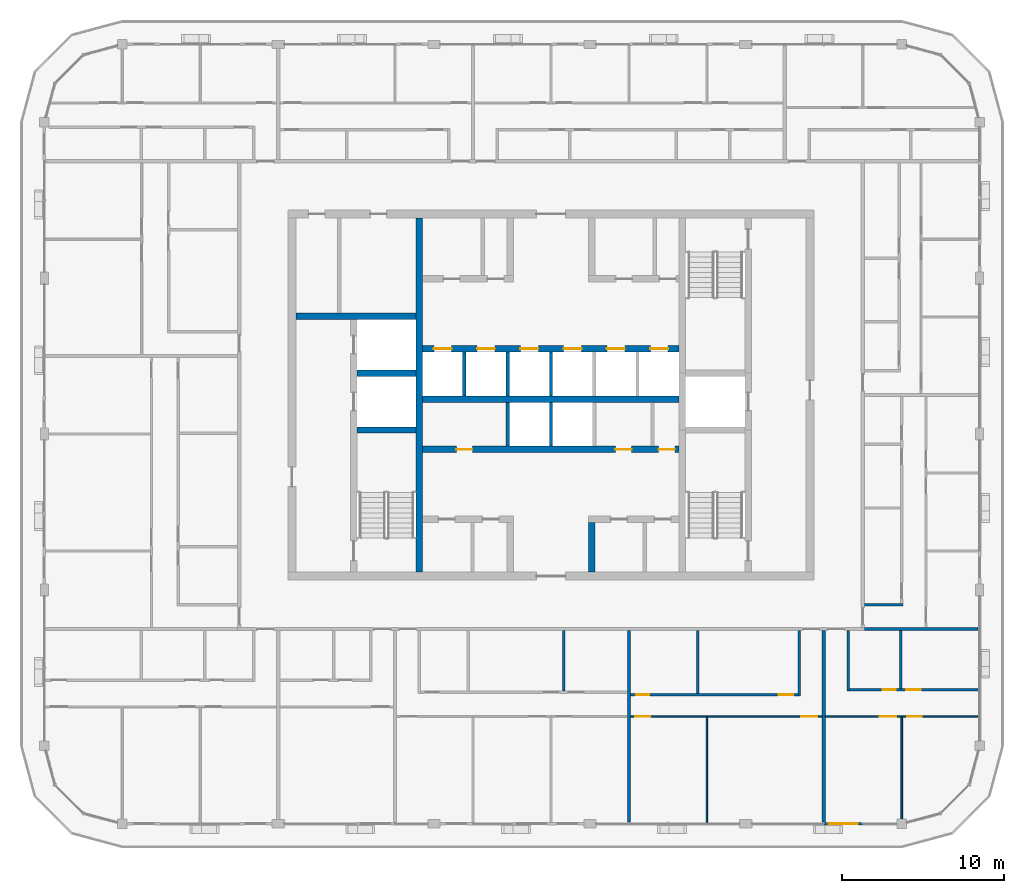
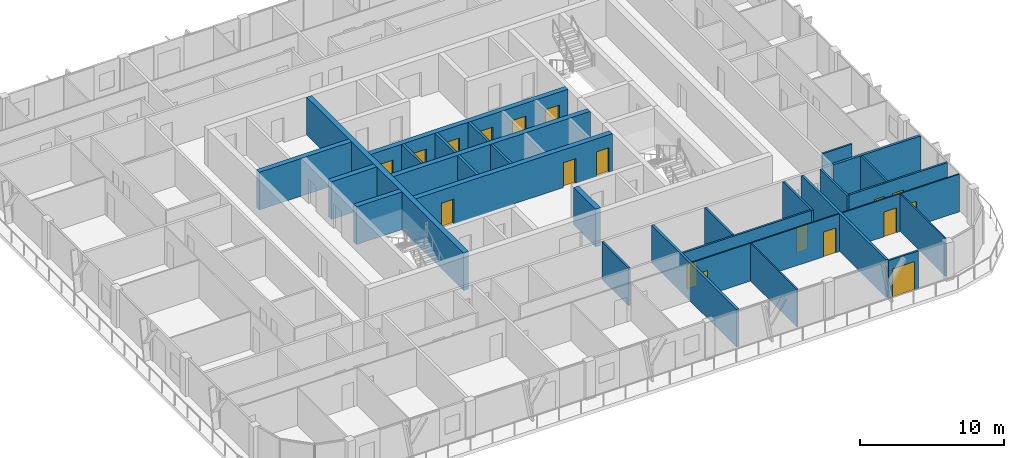
# One storey, part 11 of 22: 29 walls, 18 doors, 18 openings.
"""IFC4 building model written with IfcOpenShell, lengths in metres."""

from ifc_helpers import new_model, si_unit, direction, frame, frame_2d, origin, place, context, subcontext, project, spatial, rectangle, extrude, material, layer, layer_set, type_object, element, fill, save


model = new_model("IFC4")

# Units and contexts
model_context = context("Model", 3, precision=1e-05, world=origin(), true_north=direction((0.0, 1.0)))
body_context = subcontext(model_context, "Body", "Model", "MODEL_VIEW")
ifc_project = project(units=[si_unit("LENGTHUNIT", "METRE"), si_unit("AREAUNIT", "SQUARE_METRE"), si_unit("VOLUMEUNIT", "CUBIC_METRE"), si_unit("PLANEANGLEUNIT", "RADIAN"), si_unit("MASSUNIT", "GRAM", prefix="KILO")], contexts=[model_context])

# Site, building, storey
site_placement = place(None, origin())
site = spatial("IfcSite", under=ifc_project, at=site_placement, CompositionType="ELEMENT")
building_placement = place(site_placement, origin())
building = spatial("IfcBuilding", under=site, at=building_placement, Name="Madar Terraces", CompositionType="ELEMENT")
storey_placement = place(building_placement, frame((0.0, 0.0, 282.60009765625)))
storey = spatial("IfcBuildingStorey", under=building, at=storey_placement, Name="L74", CompositionType="ELEMENT", Elevation=282.60009765625)

# Walls
ifc_material_1 = material(Name="Concrete C50/60", Category="concrete")
ifc_layer_1 = layer(ifc_material_1, 0.39990234375)
ifc_layer_set_1 = layer_set([ifc_layer_1], Name="Concrete C50/60 (CIW6 RC wall 400)")
wall_type_1 = type_object("IfcWallType", Name="CIW6 RC wall 400", PredefinedType="SHEAR", material=ifc_layer_set_1)
wall_1_placement = place(storey_placement, frame((23.10009765625, 15.5, 0.0), z_axis=(0.0, 0.0, 1.0), x_axis=(0.0, 1.0, 0.0)))
element("IfcWall", 1, at=wall_1_placement, inside=storey, type_object=wall_type_1, Name="CORE SHAFT WALL", PredefinedType="SHEAR", context=body_context, shape_type="SweptSolid", body=[
    extrude(rectangle(XDim=21.800048828125, YDim=0.39990234375, at=frame_2d((10.89990234375, 0.0))), origin(), (0.0, 0.0, 1.0), 3.199951171875),
])
for number, where, z_axis, x_axis, name in (
    (2, (19.25, 24.25, 0.0), (0.0, 0.0, 1.0), (1.0, 0.0, 0.0), "CORE SHAFT WALL"),
    (3, (19.25, 27.75, 0.0), (0.0, 0.0, 1.0), (1.0, 0.0, 0.0), "CORE SHAFT WALL"),
):
    element("IfcWall", number, at=place(storey_placement, frame(where, z_axis=z_axis, x_axis=x_axis)), inside=storey, type_object=wall_type_1, Name=name, PredefinedType="SHEAR", context=body_context, shape_type="SweptSolid", body=[
        extrude(rectangle(XDim=3.64990234375, YDim=0.39990234375, at=frame_2d((1.824951171875, 0.0))), origin(), (0.0, 0.0, 1.0), 3.199951171875),
    ])
wall_2_placement = place(storey_placement, frame((15.5, 31.25, 0.0), z_axis=(0.0, 0.0, 1.0), x_axis=(1.0, 0.0, 0.0)))
element("IfcWall", 4, at=wall_2_placement, inside=storey, type_object=wall_type_1, Name="CORE SHAFT WALL", PredefinedType="SHEAR", context=body_context, shape_type="SweptSolid", body=[
    extrude(rectangle(XDim=7.39990234375, YDim=0.39990234375, at=frame_2d((3.699951171875, 0.0))), origin(), (0.0, 0.0, 1.0), 3.199951171875),
])

# Wall, openings, doors
wall_3_placement = place(storey_placement, frame((23.300048828125, 23.050048828125, 0.0), z_axis=(0.0, 0.0, 1.0), x_axis=(1.0, 0.0, 0.0)))
wall_3 = element("IfcWall", 5, at=wall_3_placement, inside=storey, type_object=wall_type_1, Name="CORE SHAFT WALL", PredefinedType="SHEAR", context=body_context, shape_type="SweptSolid", body=[
    extrude(rectangle(XDim=15.800048828125, YDim=0.39990234375, at=frame_2d((7.89990234375, 0.0))), origin(), (0.0, 0.0, 1.0), 3.199951171875),
])
opening_1_placement = place(wall_3_placement, frame((2.066650390625, 0.0, 0.0)))
opening_1 = element("IfcOpeningElement", 6, at=opening_1_placement, cuts=wall_3, Name="Opening KD2", PredefinedType="OPENING", context=body_context, shape_type="SweptSolid", body=[
    extrude(rectangle(XDim=1.0, YDim=2.10009765625, at=frame_2d((0.5, 1.050048828125))), frame((0.0, 0.2099609375, 0.0), z_axis=(0.0, -1.0, 0.0), x_axis=(1.0, 0.0, 0.0)), (0.0, 0.0, 1.0), 0.419921875),
])
opening_2_placement = place(wall_3_placement, frame((11.862060546875, 0.0, 0.0)))
opening_2 = element("IfcOpeningElement", 7, at=opening_2_placement, cuts=wall_3, Name="Opening KD2", PredefinedType="OPENING", context=body_context, shape_type="SweptSolid", body=[
    extrude(rectangle(XDim=1.0, YDim=2.10009765625, at=frame_2d((0.5, 1.050048828125))), frame((0.0, 0.2099609375, 0.0), z_axis=(0.0, -1.0, 0.0), x_axis=(1.0, 0.0, 0.0)), (0.0, 0.0, 1.0), 0.419921875),
])
opening_3_placement = place(wall_3_placement, frame((14.528564453125, 0.0, 0.0)))
opening_3 = element("IfcOpeningElement", 8, at=opening_3_placement, cuts=wall_3, Name="Opening KD2", PredefinedType="OPENING", context=body_context, shape_type="SweptSolid", body=[
    extrude(rectangle(XDim=1.0, YDim=2.10009765625, at=frame_2d((0.5, 1.050048828125))), frame((0.0, 0.2099609375, 0.0), z_axis=(0.0, -1.0, 0.0), x_axis=(1.0, 0.0, 0.0)), (0.0, 0.0, 1.0), 0.419921875),
])
ifc_material_2 = material(Name="Steel door leaf", Category="steel")
door_type_1 = type_object("IfcDoorType", Name="Service room door 1000 x 2100", OperationType="NOTDEFINED", PredefinedType="DOOR", material=ifc_material_2)
door_1_placement = place(opening_1_placement, frame((1.0, 0.0, 0.0), z_axis=(0.0, 0.0, 1.0), x_axis=(-1.0, 0.0, 0.0)))
door_1 = element("IfcDoor", 9, at=door_1_placement, inside=storey, type_object=door_type_1, Name="SERVICE ROOM DOOR", OperationType="SINGLE_SWING_LEFT", OverallHeight=2.10009765625, OverallWidth=1.0, PredefinedType="DOOR", context=body_context, shape_type="SweptSolid", body=[
    extrude(rectangle(XDim=1.0, YDim=2.10009765625, at=frame_2d((0.5, 1.050048828125))), frame((0.0, 0.02490234375, 0.0), z_axis=(0.0, -1.0, 0.0), x_axis=(1.0, 0.0, 0.0)), (0.0, 0.0, 1.0), 0.050048828125),
])
fill(opening_1, door_1)
door_2_placement = place(opening_2_placement, frame((1.0, 0.0, 0.0), z_axis=(0.0, 0.0, 1.0), x_axis=(-1.0, 0.0, 0.0)))
door_2 = element("IfcDoor", 10, at=door_2_placement, inside=storey, type_object=door_type_1, Name="SERVICE ROOM DOOR", OperationType="SINGLE_SWING_RIGHT", OverallHeight=2.10009765625, OverallWidth=1.0, PredefinedType="DOOR", context=body_context, shape_type="SweptSolid", body=[
    extrude(rectangle(XDim=1.0, YDim=2.10009765625, at=frame_2d((0.5, 1.050048828125))), frame((0.0, 0.02490234375, 0.0), z_axis=(0.0, -1.0, 0.0), x_axis=(1.0, 0.0, 0.0)), (0.0, 0.0, 1.0), 0.050048828125),
])
fill(opening_2, door_2)
door_3_placement = place(opening_3_placement, frame((1.0, 0.0, 0.0), z_axis=(0.0, 0.0, 1.0), x_axis=(-1.0, 0.0, 0.0)))
door_3 = element("IfcDoor", 11, at=door_3_placement, inside=storey, type_object=door_type_1, Name="SERVICE ROOM DOOR", OperationType="SINGLE_SWING_LEFT", OverallHeight=2.10009765625, OverallWidth=1.0, PredefinedType="DOOR", context=body_context, shape_type="SweptSolid", body=[
    extrude(rectangle(XDim=1.0, YDim=2.10009765625, at=frame_2d((0.5, 1.050048828125))), frame((0.0, 0.02490234375, 0.0), z_axis=(0.0, -1.0, 0.0), x_axis=(1.0, 0.0, 0.0)), (0.0, 0.0, 1.0), 0.050048828125),
])
fill(opening_3, door_3)

# Wall
wall_4_placement = place(storey_placement, frame((23.300048828125, 26.14990234375, 0.0), z_axis=(0.0, 0.0, 1.0), x_axis=(1.0, 0.0, 0.0)))
element("IfcWall", 12, at=wall_4_placement, inside=storey, type_object=wall_type_1, Name="CORE SHAFT WALL", PredefinedType="SHEAR", context=body_context, shape_type="SweptSolid", body=[
    extrude(rectangle(XDim=15.800048828125, YDim=0.39990234375, at=frame_2d((7.89990234375, 0.0))), origin(), (0.0, 0.0, 1.0), 3.199951171875),
])

# Wall, openings, doors
wall_5_placement = place(storey_placement, frame((23.300048828125, 29.25, 0.0), z_axis=(0.0, 0.0, 1.0), x_axis=(1.0, 0.0, 0.0)))
wall_5 = element("IfcWall", 13, at=wall_5_placement, inside=storey, type_object=wall_type_1, Name="CORE SHAFT WALL", PredefinedType="SHEAR", context=body_context, shape_type="SweptSolid", body=[
    extrude(rectangle(XDim=15.800048828125, YDim=0.39990234375, at=frame_2d((7.89990234375, 0.0))), origin(), (0.0, 0.0, 1.0), 3.199951171875),
])
opening_4_placement = place(wall_5_placement, frame((0.683349609375, 0.0, 0.0)))
opening_4 = element("IfcOpeningElement", 14, at=opening_4_placement, cuts=wall_5, Name="Opening LD", PredefinedType="OPENING", context=body_context, shape_type="SweptSolid", body=[
    extrude(rectangle(XDim=1.10009765625, YDim=2.10009765625, at=frame_2d((0.550048828125, 1.050048828125))), frame((0.0, 0.2099609375, 0.0), z_axis=(0.0, -1.0, 0.0), x_axis=(1.0, 0.0, 0.0)), (0.0, 0.0, 1.0), 0.419921875),
])
opening_5_placement = place(wall_5_placement, frame((3.35009765625, 0.0, 0.0)))
opening_5 = element("IfcOpeningElement", 15, at=opening_5_placement, cuts=wall_5, Name="Opening LD", PredefinedType="OPENING", context=body_context, shape_type="SweptSolid", body=[
    extrude(rectangle(XDim=1.10009765625, YDim=2.10009765625, at=frame_2d((0.550048828125, 1.050048828125))), frame((0.0, 0.2099609375, 0.0), z_axis=(0.0, -1.0, 0.0), x_axis=(1.0, 0.0, 0.0)), (0.0, 0.0, 1.0), 0.419921875),
])
opening_6_placement = place(wall_5_placement, frame((6.0166015625, 0.0, 0.0)))
opening_6 = element("IfcOpeningElement", 16, at=opening_6_placement, cuts=wall_5, Name="Opening LD", PredefinedType="OPENING", context=body_context, shape_type="SweptSolid", body=[
    extrude(rectangle(XDim=1.10009765625, YDim=2.10009765625, at=frame_2d((0.550048828125, 1.050048828125))), frame((0.0, 0.2099609375, 0.0), z_axis=(0.0, -1.0, 0.0), x_axis=(1.0, 0.0, 0.0)), (0.0, 0.0, 1.0), 0.419921875),
])
opening_7_placement = place(wall_5_placement, frame((8.683349609375, 0.0, 0.0)))
opening_7 = element("IfcOpeningElement", 17, at=opening_7_placement, cuts=wall_5, Name="Opening LD", PredefinedType="OPENING", context=body_context, shape_type="SweptSolid", body=[
    extrude(rectangle(XDim=1.10009765625, YDim=2.10009765625, at=frame_2d((0.550048828125, 1.050048828125))), frame((0.0, 0.2099609375, 0.0), z_axis=(0.0, -1.0, 0.0), x_axis=(1.0, 0.0, 0.0)), (0.0, 0.0, 1.0), 0.419921875),
])
opening_8_placement = place(wall_5_placement, frame((11.35009765625, 0.0, 0.0)))
opening_8 = element("IfcOpeningElement", 18, at=opening_8_placement, cuts=wall_5, Name="Opening LD", PredefinedType="OPENING", context=body_context, shape_type="SweptSolid", body=[
    extrude(rectangle(XDim=1.10009765625, YDim=2.10009765625, at=frame_2d((0.550048828125, 1.050048828125))), frame((0.0, 0.2099609375, 0.0), z_axis=(0.0, -1.0, 0.0), x_axis=(1.0, 0.0, 0.0)), (0.0, 0.0, 1.0), 0.419921875),
])
opening_9_placement = place(wall_5_placement, frame((14.0166015625, 0.0, 0.0)))
opening_9 = element("IfcOpeningElement", 19, at=opening_9_placement, cuts=wall_5, Name="Opening LD", PredefinedType="OPENING", context=body_context, shape_type="SweptSolid", body=[
    extrude(rectangle(XDim=1.10009765625, YDim=2.10009765625, at=frame_2d((0.550048828125, 1.050048828125))), frame((0.0, 0.2099609375, 0.0), z_axis=(0.0, -1.0, 0.0), x_axis=(1.0, 0.0, 0.0)), (0.0, 0.0, 1.0), 0.419921875),
])
ifc_material_3 = material(Name="Stainless steel panel", Category="steel")
door_type_2 = type_object("IfcDoorType", Name="Lift landing door 1100 x 2100", OperationType="DOUBLE_DOOR_SLIDING", PredefinedType="DOOR", material=ifc_material_3)
door_4_placement = place(opening_4_placement, origin())
door_4 = element("IfcDoor", 20, at=door_4_placement, inside=storey, type_object=door_type_2, Name="LIFT LANDING DOOR", OperationType="DOUBLE_DOOR_SLIDING", OverallHeight=2.10009765625, OverallWidth=1.10009765625, PredefinedType="DOOR", context=body_context, shape_type="SweptSolid", body=[
    extrude(rectangle(XDim=1.10009765625, YDim=2.10009765625, at=frame_2d((0.550048828125, 1.050048828125))), frame((0.0, 0.02490234375, 0.0), z_axis=(0.0, -1.0, 0.0), x_axis=(1.0, 0.0, 0.0)), (0.0, 0.0, 1.0), 0.050048828125),
])
fill(opening_4, door_4)
door_5_placement = place(opening_5_placement, origin())
door_5 = element("IfcDoor", 21, at=door_5_placement, inside=storey, type_object=door_type_2, Name="LIFT LANDING DOOR", OperationType="DOUBLE_DOOR_SLIDING", OverallHeight=2.10009765625, OverallWidth=1.10009765625, PredefinedType="DOOR", context=body_context, shape_type="SweptSolid", body=[
    extrude(rectangle(XDim=1.10009765625, YDim=2.10009765625, at=frame_2d((0.550048828125, 1.050048828125))), frame((0.0, 0.02490234375, 0.0), z_axis=(0.0, -1.0, 0.0), x_axis=(1.0, 0.0, 0.0)), (0.0, 0.0, 1.0), 0.050048828125),
])
fill(opening_5, door_5)
door_6_placement = place(opening_6_placement, origin())
door_6 = element("IfcDoor", 22, at=door_6_placement, inside=storey, type_object=door_type_2, Name="LIFT LANDING DOOR", OperationType="DOUBLE_DOOR_SLIDING", OverallHeight=2.10009765625, OverallWidth=1.10009765625, PredefinedType="DOOR", context=body_context, shape_type="SweptSolid", body=[
    extrude(rectangle(XDim=1.10009765625, YDim=2.10009765625, at=frame_2d((0.550048828125, 1.050048828125))), frame((0.0, 0.02490234375, 0.0), z_axis=(0.0, -1.0, 0.0), x_axis=(1.0, 0.0, 0.0)), (0.0, 0.0, 1.0), 0.050048828125),
])
fill(opening_6, door_6)
door_7_placement = place(opening_7_placement, origin())
door_7 = element("IfcDoor", 23, at=door_7_placement, inside=storey, type_object=door_type_2, Name="LIFT LANDING DOOR", OperationType="DOUBLE_DOOR_SLIDING", OverallHeight=2.10009765625, OverallWidth=1.10009765625, PredefinedType="DOOR", context=body_context, shape_type="SweptSolid", body=[
    extrude(rectangle(XDim=1.10009765625, YDim=2.10009765625, at=frame_2d((0.550048828125, 1.050048828125))), frame((0.0, 0.02490234375, 0.0), z_axis=(0.0, -1.0, 0.0), x_axis=(1.0, 0.0, 0.0)), (0.0, 0.0, 1.0), 0.050048828125),
])
fill(opening_7, door_7)
door_8_placement = place(opening_8_placement, origin())
door_8 = element("IfcDoor", 24, at=door_8_placement, inside=storey, type_object=door_type_2, Name="LIFT LANDING DOOR", OperationType="DOUBLE_DOOR_SLIDING", OverallHeight=2.10009765625, OverallWidth=1.10009765625, PredefinedType="DOOR", context=body_context, shape_type="SweptSolid", body=[
    extrude(rectangle(XDim=1.10009765625, YDim=2.10009765625, at=frame_2d((0.550048828125, 1.050048828125))), frame((0.0, 0.02490234375, 0.0), z_axis=(0.0, -1.0, 0.0), x_axis=(1.0, 0.0, 0.0)), (0.0, 0.0, 1.0), 0.050048828125),
])
fill(opening_8, door_8)
door_9_placement = place(opening_9_placement, origin())
door_9 = element("IfcDoor", 25, at=door_9_placement, inside=storey, type_object=door_type_2, Name="LIFT LANDING DOOR", OperationType="DOUBLE_DOOR_SLIDING", OverallHeight=2.10009765625, OverallWidth=1.10009765625, PredefinedType="DOOR", context=body_context, shape_type="SweptSolid", body=[
    extrude(rectangle(XDim=1.10009765625, YDim=2.10009765625, at=frame_2d((0.550048828125, 1.050048828125))), frame((0.0, 0.02490234375, 0.0), z_axis=(0.0, -1.0, 0.0), x_axis=(1.0, 0.0, 0.0)), (0.0, 0.0, 1.0), 0.050048828125),
])
fill(opening_9, door_9)

# Walls
wall_6_placement = place(storey_placement, frame((33.699951171875, 15.5, 0.0), z_axis=(0.0, 0.0, 1.0), x_axis=(0.0, 1.0, 0.0)))
element("IfcWall", 26, at=wall_6_placement, inside=storey, type_object=wall_type_1, Name="CORE SHAFT WALL", PredefinedType="SHEAR", context=body_context, shape_type="SweptSolid", body=[
    extrude(rectangle(XDim=3.050048828125, YDim=0.39990234375, at=frame_2d((1.52490234375, 0.0))), origin(), (0.0, 0.0, 1.0), 3.199951171875),
])
ifc_material_4 = material(Name="Concrete C40/50", Category="concrete")
ifc_layer_2 = layer(ifc_material_4, 0.199951171875)
ifc_layer_set_2 = layer_set([ifc_layer_2], Name="Core shaft dividing wall 200 C40/50")
wall_type_2 = type_object("IfcWallType", Name="Core shaft dividing wall 200 C40/50", PredefinedType="SOLIDWALL", material=ifc_layer_set_2)
for number, where, z_axis, x_axis, name in (
    (27, (25.86669921875, 26.35009765625, 0.0), (0.0, 0.0, 1.0), (0.0, 1.0, 0.0), "SHAFT DIVIDING WALL"),
    (28, (28.533447265625, 23.25, 0.0), (0.0, 0.0, 1.0), (0.0, 1.0, 0.0), "SHAFT DIVIDING WALL"),
    (29, (28.533447265625, 26.35009765625, 0.0), (0.0, 0.0, 1.0), (0.0, 1.0, 0.0), "SHAFT DIVIDING WALL"),
    (30, (31.199951171875, 23.25, 0.0), (0.0, 0.0, 1.0), (0.0, 1.0, 0.0), "SHAFT DIVIDING WALL"),
    (31, (31.199951171875, 26.35009765625, 0.0), (0.0, 0.0, 1.0), (0.0, 1.0, 0.0), "SHAFT DIVIDING WALL"),
):
    element("IfcWall", number, at=place(storey_placement, frame(where, z_axis=z_axis, x_axis=x_axis)), inside=storey, type_object=wall_type_2, Name=name, PredefinedType="SOLIDWALL", context=body_context, shape_type="SweptSolid", body=[
        extrude(rectangle(XDim=2.699951171875, YDim=0.199951171875, at=frame_2d((1.35009765625, 0.0))), origin(), (0.0, 0.0, 1.0), 3.199951171875),
    ])

# Wall, opening, door
ifc_material_5 = material(Name="Aluminium composite panel, black, over insulated backing", Category="aluminium")
ifc_layer_3 = layer(ifc_material_5, 0.14990234375)
ifc_layer_set_3 = layer_set([ifc_layer_3], Name="Facade bay panel 150")
wall_type_3 = type_object("IfcWallType", Name="Facade bay panel 150", PredefinedType="SOLIDWALL", material=ifc_layer_set_3)
wall_7_placement = place(storey_placement, frame((48.0, 0.0, 0.0), z_axis=(0.0, 0.0, 1.0), x_axis=(1.0, 0.0, 0.0)))
wall_7 = element("IfcWall", 32, at=wall_7_placement, inside=storey, type_object=wall_type_3, Name="Facade bay panel", PredefinedType="SOLIDWALL", context=body_context, shape_type="SweptSolid", body=[
    extrude(rectangle(XDim=2.39990234375, YDim=0.14990234375, at=frame_2d((1.199951171875, 0.0))), origin(), (0.0, 0.0, 1.0), 3.199951171875),
])
opening_10_placement = place(wall_7_placement, frame((0.300048828125, 0.0, 0.0)))
opening_10 = element("IfcOpeningElement", 33, at=opening_10_placement, cuts=wall_7, Name="Opening ED1", PredefinedType="OPENING", context=body_context, shape_type="SweptSolid", body=[
    extrude(rectangle(XDim=1.800048828125, YDim=2.39990234375, at=frame_2d((0.89990234375, 1.199951171875))), frame((0.0, 0.0849609375, 0.0), z_axis=(0.0, -1.0, 0.0), x_axis=(1.0, 0.0, 0.0)), (0.0, 0.0, 1.0), 0.169921875),
])
ifc_material_6 = material(Name="Glass, clear, with black aluminium frame", Category="aluminium")
door_type_3 = type_object("IfcDoorType", Name="Balcony and terrace sliding door 1800 x 2400", OperationType="SLIDING_TO_LEFT", PredefinedType="DOOR", material=ifc_material_6)
door_10_placement = place(opening_10_placement, origin())
door_10 = element("IfcDoor", 34, at=door_10_placement, inside=storey, type_object=door_type_3, Name="Balcony door", OperationType="SLIDING_TO_LEFT", OverallHeight=2.39990234375, OverallWidth=1.800048828125, PredefinedType="DOOR", context=body_context, shape_type="SweptSolid", body=[
    extrude(rectangle(XDim=1.800048828125, YDim=2.39990234375, at=frame_2d((0.89990234375, 1.199951171875))), frame((0.0, 0.02490234375, 0.0), z_axis=(0.0, -1.0, 0.0), x_axis=(1.0, 0.0, 0.0)), (0.0, 0.0, 1.0), 0.050048828125),
])
fill(opening_10, door_10)

# Wall
ifc_material_7 = material(Name="Gypsum board on steel studs", Category="steel")
ifc_layer_4 = layer(ifc_material_7, 0.10009765625)
ifc_layer_set_4 = layer_set([ifc_layer_4], Name="Flat partition 100")
wall_type_4 = type_object("IfcWallType", Name="Flat partition 100", PredefinedType="PARTITIONING", material=ifc_layer_set_4)
wall_8_placement = place(storey_placement, frame((40.800048828125, 6.550048828125, 0.0), z_axis=(0.0, 0.0, 1.0), x_axis=(0.0, -1.0, 0.0)))
element("IfcWall", 35, at=wall_8_placement, inside=storey, type_object=wall_type_4, Name="Flat partition 100", PredefinedType="PARTITIONING", context=body_context, shape_type="SweptSolid", body=[
    extrude(rectangle(XDim=6.449951171875, YDim=0.10009765625, at=frame_2d((3.22509765625, 0.0))), origin(), (0.0, 0.0, 1.0), 3.199951171875),
])

# Wall, openings, doors
wall_9_placement = place(storey_placement, frame((47.89990234375, 6.60009765625, 0.0), z_axis=(0.0, 0.0, 1.0), x_axis=(-1.0, 0.0, 0.0)))
wall_9 = element("IfcWall", 36, at=wall_9_placement, inside=storey, type_object=wall_type_4, Name="Flat partition 100", PredefinedType="PARTITIONING", context=body_context, shape_type="SweptSolid", body=[
    extrude(rectangle(XDim=11.7998046875, YDim=0.10009765625, at=frame_2d((5.89990234375, 0.0))), origin(), (0.0, 0.0, 1.0), 3.199951171875),
])
opening_11_placement = place(wall_9_placement, frame((0.300048828125, 0.0, 0.0)))
opening_11 = element("IfcOpeningElement", 37, at=opening_11_placement, cuts=wall_9, Name="Opening D3", PredefinedType="OPENING", context=body_context, shape_type="SweptSolid", body=[
    extrude(rectangle(XDim=1.0, YDim=2.10009765625, at=frame_2d((0.5, 1.050048828125))), frame((0.0, 0.06005859375, 0.0), z_axis=(0.0, -1.0, 0.0), x_axis=(1.0, 0.0, 0.0)), (0.0, 0.0, 1.0), 0.1201171875),
])
opening_12_placement = place(wall_9_placement, frame((10.60009765625, 0.0, 0.0)))
opening_12 = element("IfcOpeningElement", 38, at=opening_12_placement, cuts=wall_9, Name="Opening D2", PredefinedType="OPENING", context=body_context, shape_type="SweptSolid", body=[
    extrude(rectangle(XDim=0.89990234375, YDim=2.10009765625, at=frame_2d((0.449951171875, 1.050048828125))), frame((0.0, 0.06005859375, 0.0), z_axis=(0.0, -1.0, 0.0), x_axis=(1.0, 0.0, 0.0)), (0.0, 0.0, 1.0), 0.1201171875),
])
ifc_material_8 = material(Name="Timber door leaf", Category="wood")
door_type_4 = type_object("IfcDoorType", Name="Flat living room door 1000", OperationType="NOTDEFINED", PredefinedType="DOOR", material=ifc_material_8)
door_11_placement = place(opening_11_placement, origin())
door_11 = element("IfcDoor", 39, at=door_11_placement, inside=storey, type_object=door_type_4, Name="Flat living room door 1000", OperationType="SINGLE_SWING_LEFT", OverallHeight=2.10009765625, OverallWidth=1.0, PredefinedType="DOOR", context=body_context, shape_type="SweptSolid", body=[
    extrude(rectangle(XDim=1.0, YDim=2.10009765625, at=frame_2d((0.5, 1.050048828125))), frame((0.0, 0.02490234375, 0.0), z_axis=(0.0, -1.0, 0.0), x_axis=(1.0, 0.0, 0.0)), (0.0, 0.0, 1.0), 0.050048828125),
])
fill(opening_11, door_11)
ifc_material_9 = material(Name="Timber door leaf", Category="wood")
door_type_5 = type_object("IfcDoorType", Name="Flat room door 900", OperationType="NOTDEFINED", PredefinedType="DOOR", material=ifc_material_9)
door_12_placement = place(opening_12_placement, origin())
door_12 = element("IfcDoor", 40, at=door_12_placement, inside=storey, type_object=door_type_5, Name="Flat room door 900", OperationType="SINGLE_SWING_RIGHT", OverallHeight=2.10009765625, OverallWidth=0.89990234375, PredefinedType="DOOR", context=body_context, shape_type="SweptSolid", body=[
    extrude(rectangle(XDim=0.89990234375, YDim=2.10009765625, at=frame_2d((0.449951171875, 1.050048828125))), frame((0.0, 0.02490234375, 0.0), z_axis=(0.0, -1.0, 0.0), x_axis=(1.0, 0.0, 0.0)), (0.0, 0.0, 1.0), 0.050048828125),
])
fill(opening_12, door_12)

# Wall
wall_10_placement = place(storey_placement, frame((52.800048828125, 6.550048828125, 0.0), z_axis=(0.0, 0.0, 1.0), x_axis=(0.0, -1.0, 0.0)))
element("IfcWall", 41, at=wall_10_placement, inside=storey, type_object=wall_type_4, Name="Flat partition 100", PredefinedType="PARTITIONING", context=body_context, shape_type="SweptSolid", body=[
    extrude(rectangle(XDim=6.25, YDim=0.10009765625, at=frame_2d((3.125, 0.0))), origin(), (0.0, 0.0, 1.0), 3.199951171875),
])

# Wall, openings, doors
wall_11_placement = place(storey_placement, frame((57.5, 6.60009765625, 0.0), z_axis=(0.0, 0.0, 1.0), x_axis=(-1.0, 0.0, 0.0)))
wall_11 = element("IfcWall", 42, at=wall_11_placement, inside=storey, type_object=wall_type_4, Name="Flat partition 100", PredefinedType="PARTITIONING", context=body_context, shape_type="SweptSolid", body=[
    extrude(rectangle(XDim=9.39990234375, YDim=0.10009765625, at=frame_2d((4.699951171875, 0.0))), origin(), (0.0, 0.0, 1.0), 3.199951171875),
])
opening_13_placement = place(wall_11_placement, frame((5.050048828125, 0.0, 0.0)))
opening_13 = element("IfcOpeningElement", 43, at=opening_13_placement, cuts=wall_11, Name="Opening D3", PredefinedType="OPENING", context=body_context, shape_type="SweptSolid", body=[
    extrude(rectangle(XDim=1.0, YDim=2.10009765625, at=frame_2d((0.5, 1.050048828125))), frame((0.0, 0.06005859375, 0.0), z_axis=(0.0, -1.0, 0.0), x_axis=(1.0, 0.0, 0.0)), (0.0, 0.0, 1.0), 0.1201171875),
])
opening_14_placement = place(wall_11_placement, frame((3.449951171875, 0.0, 0.0)))
opening_14 = element("IfcOpeningElement", 44, at=opening_14_placement, cuts=wall_11, Name="Opening D2", PredefinedType="OPENING", context=body_context, shape_type="SweptSolid", body=[
    extrude(rectangle(XDim=0.89990234375, YDim=2.10009765625, at=frame_2d((0.449951171875, 1.050048828125))), frame((0.0, 0.06005859375, 0.0), z_axis=(0.0, -1.0, 0.0), x_axis=(1.0, 0.0, 0.0)), (0.0, 0.0, 1.0), 0.1201171875),
])
door_13_placement = place(opening_13_placement, origin())
door_13 = element("IfcDoor", 45, at=door_13_placement, inside=storey, type_object=door_type_4, Name="Flat living room door 1000", OperationType="SINGLE_SWING_LEFT", OverallHeight=2.10009765625, OverallWidth=1.0, PredefinedType="DOOR", context=body_context, shape_type="SweptSolid", body=[
    extrude(rectangle(XDim=1.0, YDim=2.10009765625, at=frame_2d((0.5, 1.050048828125))), frame((0.0, 0.02490234375, 0.0), z_axis=(0.0, -1.0, 0.0), x_axis=(1.0, 0.0, 0.0)), (0.0, 0.0, 1.0), 0.050048828125),
])
fill(opening_13, door_13)
door_14_placement = place(opening_14_placement, origin())
door_14 = element("IfcDoor", 46, at=door_14_placement, inside=storey, type_object=door_type_5, Name="Flat room door 900", OperationType="SINGLE_SWING_RIGHT", OverallHeight=2.10009765625, OverallWidth=0.89990234375, PredefinedType="DOOR", context=body_context, shape_type="SweptSolid", body=[
    extrude(rectangle(XDim=0.89990234375, YDim=2.10009765625, at=frame_2d((0.449951171875, 1.050048828125))), frame((0.0, 0.02490234375, 0.0), z_axis=(0.0, -1.0, 0.0), x_axis=(1.0, 0.0, 0.0)), (0.0, 0.0, 1.0), 0.050048828125),
])
fill(opening_14, door_14)

# Walls
ifc_material_10 = material(Name="Lightweight blockwork", Category="masonry")
ifc_layer_5 = layer(ifc_material_10, 0.199951171875)
ifc_layer_set_5 = layer_set([ifc_layer_5], Name="Flat party and entrance wall 200")
wall_type_5 = type_object("IfcWallType", Name="Flat party and entrance wall 200", PredefinedType="PARTITIONING", material=ifc_layer_set_5)
for number, where, z_axis, x_axis, name in (
    (47, (36.0, 11.89990234375, 0.0), (0.0, 0.0, 1.0), (0.0, -1.0, 0.0), "Flat party and entrance wall 200"),
    (48, (48.0, 11.89990234375, 0.0), (0.0, 0.0, 1.0), (0.0, -1.0, 0.0), "Flat party and entrance wall 200"),
):
    element("IfcWall", number, at=place(storey_placement, frame(where, z_axis=z_axis, x_axis=x_axis)), inside=storey, type_object=wall_type_5, Name=name, PredefinedType="PARTITIONING", context=body_context, shape_type="SweptSolid", body=[
        extrude(rectangle(XDim=11.7998046875, YDim=0.199951171875, at=frame_2d((5.89990234375, 0.0))), origin(), (0.0, 0.0, 1.0), 3.199951171875),
    ])
wall_12_placement = place(storey_placement, frame((50.5, 12.0, 0.0), z_axis=(0.0, 0.0, 1.0), x_axis=(1.0, 0.0, 0.0)))
element("IfcWall", 49, at=wall_12_placement, inside=storey, type_object=wall_type_5, Name="Flat party and entrance wall 200", PredefinedType="PARTITIONING", context=body_context, shape_type="SweptSolid", body=[
    extrude(rectangle(XDim=7.0, YDim=0.199951171875, at=frame_2d((3.5, 0.0))), origin(), (0.0, 0.0, 1.0), 3.199951171875),
])
ifc_material_11 = material(Name="Lightweight blockwork", Category="masonry")
ifc_layer_6 = layer(ifc_material_11, 0.14990234375)
ifc_layer_set_6 = layer_set([ifc_layer_6], Name="Flat wet-room partition 150")
wall_type_6 = type_object("IfcWallType", Name="Flat wet-room partition 150", PredefinedType="PARTITIONING", material=ifc_layer_set_6)
wall_13_placement = place(storey_placement, frame((31.984619140625, 11.89990234375, 0.0), z_axis=(0.0, 0.0, 1.0), x_axis=(0.0, -1.0, 0.0)))
element("IfcWall", 50, at=wall_13_placement, inside=storey, type_object=wall_type_6, Name="Flat wet-room partition 150", PredefinedType="PARTITIONING", context=body_context, shape_type="SweptSolid", body=[
    extrude(rectangle(XDim=3.724853515625, YDim=0.14990234375, at=frame_2d((1.8623046875, 0.0))), origin(), (0.0, 0.0, 1.0), 3.199951171875),
])
wall_14_placement = place(storey_placement, frame((40.22998046875, 11.89990234375, 0.0), z_axis=(0.0, 0.0, 1.0), x_axis=(0.0, -1.0, 0.0)))
element("IfcWall", 51, at=wall_14_placement, inside=storey, type_object=wall_type_6, Name="Flat wet-room partition 150", PredefinedType="PARTITIONING", context=body_context, shape_type="SweptSolid", body=[
    extrude(rectangle(XDim=3.875, YDim=0.14990234375, at=frame_2d((1.9375, 0.0))), origin(), (0.0, 0.0, 1.0), 3.199951171875),
])
wall_15_placement = place(storey_placement, frame((46.5, 11.89990234375, 0.0), z_axis=(0.0, 0.0, 1.0), x_axis=(0.0, -1.0, 0.0)))
element("IfcWall", 52, at=wall_15_placement, inside=storey, type_object=wall_type_6, Name="Flat wet-room partition 150", PredefinedType="PARTITIONING", context=body_context, shape_type="SweptSolid", body=[
    extrude(rectangle(XDim=4.02490234375, YDim=0.14990234375, at=frame_2d((2.012451171875, 0.0))), origin(), (0.0, 0.0, 1.0), 3.199951171875),
])

# Wall, openings, doors
wall_16_placement = place(storey_placement, frame((36.10009765625, 7.949951171875, 0.0), z_axis=(0.0, 0.0, 1.0), x_axis=(1.0, 0.0, 0.0)))
wall_16 = element("IfcWall", 53, at=wall_16_placement, inside=storey, type_object=wall_type_6, Name="Flat wet-room partition 150", PredefinedType="PARTITIONING", context=body_context, shape_type="SweptSolid", body=[
    extrude(rectangle(XDim=10.324951171875, YDim=0.14990234375, at=frame_2d((5.16259765625, 0.0))), origin(), (0.0, 0.0, 1.0), 3.199951171875),
])
opening_15_placement = place(wall_16_placement, frame((9.125, 0.0, 0.0)))
opening_15 = element("IfcOpeningElement", 54, at=opening_15_placement, cuts=wall_16, Name="Opening D2", PredefinedType="OPENING", context=body_context, shape_type="SweptSolid", body=[
    extrude(rectangle(XDim=0.89990234375, YDim=2.10009765625, at=frame_2d((0.449951171875, 1.050048828125))), frame((0.0, 0.0849609375, 0.0), z_axis=(0.0, -1.0, 0.0), x_axis=(1.0, 0.0, 0.0)), (0.0, 0.0, 1.0), 0.169921875),
])
opening_16_placement = place(wall_16_placement, frame((0.35009765625, 0.0, 0.0)))
opening_16 = element("IfcOpeningElement", 55, at=opening_16_placement, cuts=wall_16, Name="Opening D4", PredefinedType="OPENING", context=body_context, shape_type="SweptSolid", body=[
    extrude(rectangle(XDim=0.800048828125, YDim=2.10009765625, at=frame_2d((0.39990234375, 1.050048828125))), frame((0.0, 0.0849609375, 0.0), z_axis=(0.0, -1.0, 0.0), x_axis=(1.0, 0.0, 0.0)), (0.0, 0.0, 1.0), 0.169921875),
])
ifc_material_12 = material(Name="Timber door leaf", Category="wood")
door_type_6 = type_object("IfcDoorType", Name="Flat bathroom door 800", OperationType="NOTDEFINED", PredefinedType="DOOR", material=ifc_material_12)
door_15_placement = place(opening_16_placement, origin())
door_15 = element("IfcDoor", 56, at=door_15_placement, inside=storey, type_object=door_type_6, Name="Flat bathroom door 800", OperationType="SINGLE_SWING_LEFT", OverallHeight=2.10009765625, OverallWidth=0.800048828125, PredefinedType="DOOR", context=body_context, shape_type="SweptSolid", body=[
    extrude(rectangle(XDim=0.800048828125, YDim=2.10009765625, at=frame_2d((0.39990234375, 1.050048828125))), frame((0.0, 0.02490234375, 0.0), z_axis=(0.0, -1.0, 0.0), x_axis=(1.0, 0.0, 0.0)), (0.0, 0.0, 1.0), 0.050048828125),
])
fill(opening_16, door_15)
door_16_placement = place(opening_15_placement, origin())
door_16 = element("IfcDoor", 57, at=door_16_placement, inside=storey, type_object=door_type_5, Name="Flat room door 900", OperationType="SINGLE_SWING_RIGHT", OverallHeight=2.10009765625, OverallWidth=0.89990234375, PredefinedType="DOOR", context=body_context, shape_type="SweptSolid", body=[
    extrude(rectangle(XDim=0.89990234375, YDim=2.10009765625, at=frame_2d((0.449951171875, 1.050048828125))), frame((0.0, 0.02490234375, 0.0), z_axis=(0.0, -1.0, 0.0), x_axis=(1.0, 0.0, 0.0)), (0.0, 0.0, 1.0), 0.050048828125),
])
fill(opening_15, door_16)

# Walls
wall_17_placement = place(storey_placement, frame((52.7451171875, 11.89990234375, 0.0), z_axis=(0.0, 0.0, 1.0), x_axis=(0.0, -1.0, 0.0)))
element("IfcWall", 58, at=wall_17_placement, inside=storey, type_object=wall_type_6, Name="Flat wet-room partition 150", PredefinedType="PARTITIONING", context=body_context, shape_type="SweptSolid", body=[
    extrude(rectangle(XDim=3.574951171875, YDim=0.14990234375, at=frame_2d((1.78759765625, 0.0))), origin(), (0.0, 0.0, 1.0), 3.199951171875),
])
wall_18_placement = place(storey_placement, frame((49.5, 11.89990234375, 0.0), z_axis=(0.0, 0.0, 1.0), x_axis=(0.0, -1.0, 0.0)))
element("IfcWall", 59, at=wall_18_placement, inside=storey, type_object=wall_type_6, Name="Flat wet-room partition 150", PredefinedType="PARTITIONING", context=body_context, shape_type="SweptSolid", body=[
    extrude(rectangle(XDim=3.724853515625, YDim=0.14990234375, at=frame_2d((1.8623046875, 0.0))), origin(), (0.0, 0.0, 1.0), 3.199951171875),
])

# Wall, openings, doors
wall_19_placement = place(storey_placement, frame((49.574951171875, 8.25, 0.0), z_axis=(0.0, 0.0, 1.0), x_axis=(1.0, 0.0, 0.0)))
wall_19 = element("IfcWall", 60, at=wall_19_placement, inside=storey, type_object=wall_type_6, Name="Flat wet-room partition 150", PredefinedType="PARTITIONING", context=body_context, shape_type="SweptSolid", body=[
    extrude(rectangle(XDim=7.925048828125, YDim=0.14990234375, at=frame_2d((3.96240234375, 0.0))), origin(), (0.0, 0.0, 1.0), 3.199951171875),
])
opening_17_placement = place(wall_19_placement, frame((2.044921875, 0.0, 0.0)))
opening_17 = element("IfcOpeningElement", 61, at=opening_17_placement, cuts=wall_19, Name="Opening D4", PredefinedType="OPENING", context=body_context, shape_type="SweptSolid", body=[
    extrude(rectangle(XDim=0.800048828125, YDim=2.10009765625, at=frame_2d((0.39990234375, 1.050048828125))), frame((0.0, 0.0849609375, 0.0), z_axis=(0.0, -1.0, 0.0), x_axis=(1.0, 0.0, 0.0)), (0.0, 0.0, 1.0), 0.169921875),
])
opening_18_placement = place(wall_19_placement, frame((3.4951171875, 0.0, 0.0)))
opening_18 = element("IfcOpeningElement", 62, at=opening_18_placement, cuts=wall_19, Name="Opening D2", PredefinedType="OPENING", context=body_context, shape_type="SweptSolid", body=[
    extrude(rectangle(XDim=0.89990234375, YDim=2.10009765625, at=frame_2d((0.449951171875, 1.050048828125))), frame((0.0, 0.0849609375, 0.0), z_axis=(0.0, -1.0, 0.0), x_axis=(1.0, 0.0, 0.0)), (0.0, 0.0, 1.0), 0.169921875),
])
door_17_placement = place(opening_17_placement, origin())
door_17 = element("IfcDoor", 63, at=door_17_placement, inside=storey, type_object=door_type_6, Name="Flat bathroom door 800", OperationType="SINGLE_SWING_RIGHT", OverallHeight=2.10009765625, OverallWidth=0.800048828125, PredefinedType="DOOR", context=body_context, shape_type="SweptSolid", body=[
    extrude(rectangle(XDim=0.800048828125, YDim=2.10009765625, at=frame_2d((0.39990234375, 1.050048828125))), frame((0.0, 0.02490234375, 0.0), z_axis=(0.0, -1.0, 0.0), x_axis=(1.0, 0.0, 0.0)), (0.0, 0.0, 1.0), 0.050048828125),
])
fill(opening_17, door_17)
door_18_placement = place(opening_18_placement, origin())
door_18 = element("IfcDoor", 64, at=door_18_placement, inside=storey, type_object=door_type_5, Name="Flat room door 900", OperationType="SINGLE_SWING_LEFT", OverallHeight=2.10009765625, OverallWidth=0.89990234375, PredefinedType="DOOR", context=body_context, shape_type="SweptSolid", body=[
    extrude(rectangle(XDim=0.89990234375, YDim=2.10009765625, at=frame_2d((0.449951171875, 1.050048828125))), frame((0.0, 0.02490234375, 0.0), z_axis=(0.0, -1.0, 0.0), x_axis=(1.0, 0.0, 0.0)), (0.0, 0.0, 1.0), 0.050048828125),
])
fill(opening_18, door_18)

# Wall
wall_20_placement = place(storey_placement, frame((50.5, 13.5, 0.0), z_axis=(0.0, 0.0, 1.0), x_axis=(1.0, 0.0, 0.0)))
element("IfcWall", 65, at=wall_20_placement, inside=storey, type_object=wall_type_6, Name="Flat wet-room partition 150", PredefinedType="PARTITIONING", context=body_context, shape_type="SweptSolid", body=[
    extrude(rectangle(XDim=2.375, YDim=0.14990234375, at=frame_2d((1.1875, 0.0))), origin(), (0.0, 0.0, 1.0), 3.199951171875),
])

save(model, "model.ifc")
